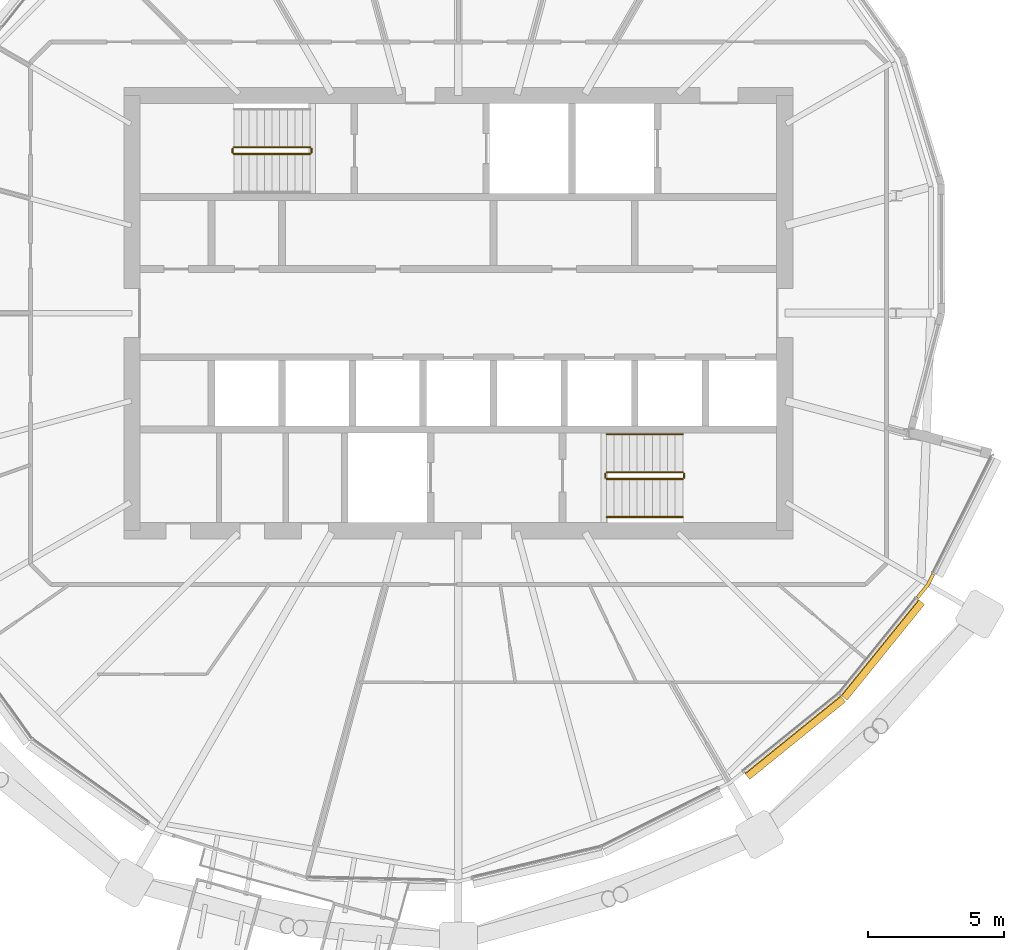
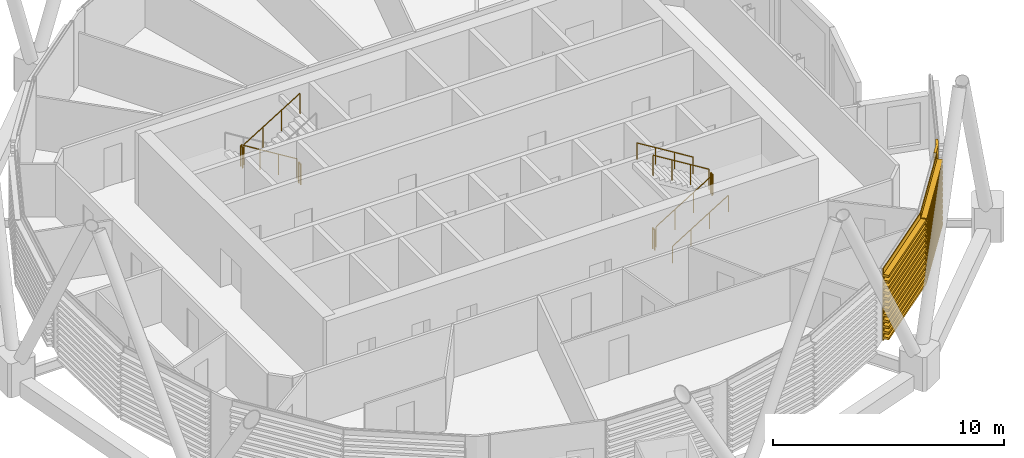
# One storey, part 36 of 37: 10 railings, 3 coverings.
"""IFC4 building model written with IfcOpenShell, lengths in metres."""

from ifc_helpers import new_model, si_unit, direction, frame, origin, origin_2d, place, context, subcontext, project, spatial, polyline, circle, outline, extrude, material, layer, layer_set, material_profile, profile_set, type_object, element, save


model = new_model("IFC4")

# Units and contexts
model_context = context("Model", 3, precision=1e-05, world=origin(), true_north=direction((0.0, 1.0)))
body_context = subcontext(model_context, "Body", "Model", "MODEL_VIEW")
ifc_project = project(units=[si_unit("LENGTHUNIT", "METRE"), si_unit("AREAUNIT", "SQUARE_METRE"), si_unit("VOLUMEUNIT", "CUBIC_METRE"), si_unit("PLANEANGLEUNIT", "RADIAN"), si_unit("MASSUNIT", "GRAM", prefix="KILO")], contexts=[model_context])

# Site, building, storey
site_placement = place(None, origin())
site = spatial("IfcSite", under=ifc_project, at=site_placement, CompositionType="ELEMENT")
building_placement = place(site_placement, origin())
building = spatial("IfcBuilding", under=site, at=building_placement, Name="Rimbun Link Towers", CompositionType="ELEMENT")
storey_placement = place(building_placement, frame((0.0, 0.0, 170.300048828125)))
storey = spatial("IfcBuildingStorey", under=building, at=storey_placement, Name="L41", CompositionType="ELEMENT", Elevation=170.300048828125)

# Covering
ifc_material_1 = material(Name="Terracotta", Category="masonry")
ifc_layer = layer(ifc_material_1, 0.1201171875)
ifc_layer_set = layer_set([ifc_layer], Name="LINK PIER terracotta cladding 120")
covering_type_1 = type_object("IfcCoveringType", Name="LINK PIER terracotta cladding 120", PredefinedType="CLADDING", material=ifc_layer_set)
covering_placement = place(storey_placement, origin())
element("IfcCovering", 1, at=covering_placement, inside=storey, type_object=covering_type_1, Name="LINK PIER cladding", PredefinedType="CLADDING", context=body_context, shape_type="SweptSolid", body=[
    extrude(outline(polyline([(49.15869140625, -9.566650390625), (48.97021484375, -9.942138671875), (48.580078125, -10.424072265625), (48.67333984375, -10.49951171875), (49.071533203125, -10.007568359375), (49.265869140625, -9.62060546875), (49.15869140625, -9.566650390625)])), origin(), (0.0, 0.0, 1.0), 3.800048828125),
])

# Railings
ifc_material_2 = material(Name="Stainless steel grade 316", Category="steel")
railing_type_1 = type_object("IfcRailingType", Name="Stair guard", PredefinedType="GUARDRAIL", material=ifc_material_2)
railing_1_placement = place(storey_placement, frame((26.300048828125, 6.10009765625, 0.172607421875)))
element("IfcRailing", 2, at=railing_1_placement, inside=storey, type_object=railing_type_1, Name="L41 ST3 stair guard 1", PredefinedType="GUARDRAIL", context=body_context, shape_type="SweptSolid", body=[
    extrude(circle(Radius=0.02392578125, at=origin_2d()), frame((0.0, 0.0, 1.076171875), z_axis=(-0.851089632645, 0.0, 0.525020415988), x_axis=(0.0, -1.0, 0.0)), (0.0, 0.0, 1.0), 3.2900390625),
    extrude(circle(Radius=0.02099609375, at=origin_2d()), origin(), (0.0, 0.0, 1.0), 1.052001953125),
    extrude(circle(Radius=0.02099609375, at=origin_2d()), frame((-0.933349609375, 0.0, 0.57568359375)), (0.0, 0.0, 1.0), 1.052001953125),
    extrude(circle(Radius=0.02099609375, at=origin_2d()), frame((-1.86669921875, 0.0, 1.151611328125)), (0.0, 0.0, 1.0), 1.052001953125),
    extrude(circle(Radius=0.02099609375, at=origin_2d()), frame((-2.800048828125, 0.0, 1.727294921875)), (0.0, 0.0, 1.0), 1.052001953125),
])
railing_2_placement = place(storey_placement, frame((23.449951171875, 6.050048828125, 1.89990234375)))
element("IfcRailing", 3, at=railing_2_placement, inside=storey, type_object=railing_type_1, Name="L41 ST3 stair guard 2", PredefinedType="GUARDRAIL", context=body_context, shape_type="SweptSolid", body=[
    extrude(circle(Radius=0.02392578125, at=origin_2d()), frame((0.0, 0.0, 1.076171875), z_axis=(0.0, -1.0, 0.0), x_axis=(1.0, 0.0, 0.0)), (0.0, 0.0, 1.0), 0.150146484375),
    extrude(circle(Radius=0.02099609375, at=origin_2d()), origin(), (0.0, 0.0, 1.0), 1.052001953125),
    extrude(circle(Radius=0.02099609375, at=origin_2d()), frame((0.0, -0.150146484375, 0.0)), (0.0, 0.0, 1.0), 1.052001953125),
])
railing_3_placement = place(storey_placement, frame((23.5, 5.85009765625, 2.07275390625)))
element("IfcRailing", 4, at=railing_3_placement, inside=storey, type_object=railing_type_1, Name="L41 ST3 stair guard 3", PredefinedType="GUARDRAIL", context=body_context, shape_type="SweptSolid", body=[
    extrude(circle(Radius=0.02392578125, at=origin_2d()), frame((0.0, 0.0, 1.076171875), z_axis=(0.851089632645, 0.0, 0.525020415988), x_axis=(0.0, 1.0, 0.0)), (0.0, 0.0, 1.0), 3.2900390625),
    extrude(circle(Radius=0.02099609375, at=origin_2d()), origin(), (0.0, 0.0, 1.0), 1.052001953125),
    extrude(circle(Radius=0.02099609375, at=origin_2d()), frame((0.933349609375, 0.0, 0.57568359375)), (0.0, 0.0, 1.0), 1.052001953125),
    extrude(circle(Radius=0.02099609375, at=origin_2d()), frame((1.86669921875, 0.0, 1.151611328125)), (0.0, 0.0, 1.0), 1.052001953125),
    extrude(circle(Radius=0.02099609375, at=origin_2d()), frame((2.800048828125, 0.0, 1.727294921875)), (0.0, 0.0, 1.0), 1.052001953125),
])
railing_4_placement = place(storey_placement, frame((26.35009765625, 6.050048828125, 0.0)))
element("IfcRailing", 5, at=railing_4_placement, inside=storey, type_object=railing_type_1, Name="L41 ST3 stair guard 4", PredefinedType="GUARDRAIL", context=body_context, shape_type="SweptSolid", body=[
    extrude(circle(Radius=0.02392578125, at=origin_2d()), frame((0.0, 0.0, 1.076171875), z_axis=(0.0, -1.0, 0.0), x_axis=(1.0, 0.0, 0.0)), (0.0, 0.0, 1.0), 0.150146484375),
    extrude(circle(Radius=0.02099609375, at=origin_2d()), origin(), (0.0, 0.0, 1.0), 1.052001953125),
    extrude(circle(Radius=0.02099609375, at=origin_2d()), frame((0.0, -0.150146484375, 0.0)), (0.0, 0.0, 1.0), 1.052001953125),
])
railing_5_placement = place(storey_placement, frame((37.199951171875, -6.10009765625, 0.172607421875)))
element("IfcRailing", 6, at=railing_5_placement, inside=storey, type_object=railing_type_1, Name="L41 ST4 stair guard 1", PredefinedType="GUARDRAIL", context=body_context, shape_type="SweptSolid", body=[
    extrude(circle(Radius=0.02392578125, at=origin_2d()), frame((0.0, 0.0, 1.076171875), z_axis=(0.851089632645, 0.0, 0.525020415988), x_axis=(0.0, 1.0, 0.0)), (0.0, 0.0, 1.0), 3.2900390625),
    extrude(circle(Radius=0.02099609375, at=origin_2d()), origin(), (0.0, 0.0, 1.0), 1.052001953125),
    extrude(circle(Radius=0.02099609375, at=origin_2d()), frame((0.933349609375, 0.0, 0.57568359375)), (0.0, 0.0, 1.0), 1.052001953125),
    extrude(circle(Radius=0.02099609375, at=origin_2d()), frame((1.86669921875, 0.0, 1.151611328125)), (0.0, 0.0, 1.0), 1.052001953125),
    extrude(circle(Radius=0.02099609375, at=origin_2d()), frame((2.800048828125, 0.0, 1.727294921875)), (0.0, 0.0, 1.0), 1.052001953125),
])
railing_6_placement = place(storey_placement, frame((40.050048828125, -6.050048828125, 1.89990234375)))
element("IfcRailing", 7, at=railing_6_placement, inside=storey, type_object=railing_type_1, Name="L41 ST4 stair guard 2", PredefinedType="GUARDRAIL", context=body_context, shape_type="SweptSolid", body=[
    extrude(circle(Radius=0.02392578125, at=origin_2d()), frame((0.0, 0.0, 1.076171875), z_axis=(0.0, 1.0, 0.0), x_axis=(-1.0, 0.0, 0.0)), (0.0, 0.0, 1.0), 0.150146484375),
    extrude(circle(Radius=0.02099609375, at=origin_2d()), origin(), (0.0, 0.0, 1.0), 1.052001953125),
    extrude(circle(Radius=0.02099609375, at=origin_2d()), frame((0.0, 0.150146484375, 0.0)), (0.0, 0.0, 1.0), 1.052001953125),
])
railing_7_placement = place(storey_placement, frame((40.0, -5.85009765625, 2.07275390625)))
element("IfcRailing", 8, at=railing_7_placement, inside=storey, type_object=railing_type_1, Name="L41 ST4 stair guard 3", PredefinedType="GUARDRAIL", context=body_context, shape_type="SweptSolid", body=[
    extrude(circle(Radius=0.02392578125, at=origin_2d()), frame((0.0, 0.0, 1.076171875), z_axis=(-0.851089632645, 0.0, 0.525020415988), x_axis=(0.0, -1.0, 0.0)), (0.0, 0.0, 1.0), 3.2900390625),
    extrude(circle(Radius=0.02099609375, at=origin_2d()), origin(), (0.0, 0.0, 1.0), 1.052001953125),
    extrude(circle(Radius=0.02099609375, at=origin_2d()), frame((-0.933349609375, 0.0, 0.57568359375)), (0.0, 0.0, 1.0), 1.052001953125),
    extrude(circle(Radius=0.02099609375, at=origin_2d()), frame((-1.86669921875, 0.0, 1.151611328125)), (0.0, 0.0, 1.0), 1.052001953125),
    extrude(circle(Radius=0.02099609375, at=origin_2d()), frame((-2.800048828125, 0.0, 1.727294921875)), (0.0, 0.0, 1.0), 1.052001953125),
])
railing_8_placement = place(storey_placement, frame((37.14990234375, -6.050048828125, 0.0)))
element("IfcRailing", 9, at=railing_8_placement, inside=storey, type_object=railing_type_1, Name="L41 ST4 stair guard 4", PredefinedType="GUARDRAIL", context=body_context, shape_type="SweptSolid", body=[
    extrude(circle(Radius=0.02392578125, at=origin_2d()), frame((0.0, 0.0, 1.076171875), z_axis=(0.0, 1.0, 0.0), x_axis=(-1.0, 0.0, 0.0)), (0.0, 0.0, 1.0), 0.150146484375),
    extrude(circle(Radius=0.02099609375, at=origin_2d()), origin(), (0.0, 0.0, 1.0), 1.052001953125),
    extrude(circle(Radius=0.02099609375, at=origin_2d()), frame((0.0, 0.150146484375, 0.0)), (0.0, 0.0, 1.0), 1.052001953125),
])
ifc_material_3 = material(Name="Stainless steel grade 316", Category="steel")
railing_type_2 = type_object("IfcRailingType", Name="Stair handrail", PredefinedType="HANDRAIL", material=ifc_material_3)
railing_9_placement = place(storey_placement, frame((37.199951171875, -7.5, 0.172607421875)))
element("IfcRailing", 10, at=railing_9_placement, inside=storey, type_object=railing_type_2, Name="L41 ST4 stair handrail 1", PredefinedType="HANDRAIL", context=body_context, shape_type="SweptSolid", body=[
    extrude(circle(Radius=0.02392578125, at=origin_2d()), frame((0.0, 0.0, 0.8759765625), z_axis=(0.851089632645, 0.0, 0.525020415988), x_axis=(0.0, 1.0, 0.0)), (0.0, 0.0, 1.0), 3.2900390625),
    extrude(circle(Radius=0.02099609375, at=origin_2d()), origin(), (0.0, 0.0, 1.0), 0.851806640625),
    extrude(circle(Radius=0.02099609375, at=origin_2d()), frame((0.933349609375, 0.0, 0.57568359375)), (0.0, 0.0, 1.0), 0.851806640625),
    extrude(circle(Radius=0.02099609375, at=origin_2d()), frame((1.86669921875, 0.0, 1.151611328125)), (0.0, 0.0, 1.0), 0.851806640625),
    extrude(circle(Radius=0.02099609375, at=origin_2d()), frame((2.800048828125, 0.0, 1.727294921875)), (0.0, 0.0, 1.0), 0.851806640625),
])
railing_10_placement = place(storey_placement, frame((40.0, -4.449951171875, 2.07275390625)))
element("IfcRailing", 11, at=railing_10_placement, inside=storey, type_object=railing_type_2, Name="L41 ST4 stair handrail 2", PredefinedType="HANDRAIL", context=body_context, shape_type="SweptSolid", body=[
    extrude(circle(Radius=0.02392578125, at=origin_2d()), frame((0.0, 0.0, 0.8759765625), z_axis=(-0.851089632645, 0.0, 0.525020415988), x_axis=(0.0, -1.0, 0.0)), (0.0, 0.0, 1.0), 3.2900390625),
    extrude(circle(Radius=0.02099609375, at=origin_2d()), origin(), (0.0, 0.0, 1.0), 0.851806640625),
    extrude(circle(Radius=0.02099609375, at=origin_2d()), frame((-0.933349609375, 0.0, 0.57568359375)), (0.0, 0.0, 1.0), 0.851806640625),
    extrude(circle(Radius=0.02099609375, at=origin_2d()), frame((-1.86669921875, 0.0, 1.151611328125)), (0.0, 0.0, 1.0), 0.851806640625),
    extrude(circle(Radius=0.02099609375, at=origin_2d()), frame((-2.800048828125, 0.0, 1.727294921875)), (0.0, 0.0, 1.0), 0.851806640625),
])

# Coverings
ifc_material_4 = material(Name="Terracotta", Category="masonry")
ifc_material_profile = material_profile(ifc_material_4, outline(polyline([(0.123046875, 0.0), (0.1630859375, 0.0), (0.1630859375, 0.10009765625), (0.423095703125, 0.10009765625), (0.423095703125, 0.219970703125), (0.1630859375, 0.219970703125), (0.1630859375, 0.39990234375), (0.423095703125, 0.39990234375), (0.423095703125, 0.52001953125), (0.1630859375, 0.52001953125), (0.1630859375, 0.699951171875), (0.423095703125, 0.699951171875), (0.423095703125, 0.820068359375), (0.1630859375, 0.820068359375), (0.1630859375, 1.0), (0.423095703125, 1.0), (0.423095703125, 1.1201171875), (0.1630859375, 1.1201171875), (0.1630859375, 1.300048828125), (0.423095703125, 1.300048828125), (0.423095703125, 1.419921875), (0.1630859375, 1.419921875), (0.1630859375, 1.60009765625), (0.423095703125, 1.60009765625), (0.423095703125, 1.719970703125), (0.1630859375, 1.719970703125), (0.1630859375, 1.89990234375), (0.423095703125, 1.89990234375), (0.423095703125, 2.02001953125), (0.1630859375, 2.02001953125), (0.1630859375, 2.199951171875), (0.423095703125, 2.199951171875), (0.423095703125, 2.320068359375), (0.1630859375, 2.320068359375), (0.1630859375, 2.5), (0.423095703125, 2.5), (0.423095703125, 2.6201171875), (0.1630859375, 2.6201171875), (0.1630859375, 2.800048828125), (0.423095703125, 2.800048828125), (0.423095703125, 2.919921875), (0.1630859375, 2.919921875), (0.1630859375, 3.10009765625), (0.423095703125, 3.10009765625), (0.423095703125, 3.219970703125), (0.1630859375, 3.219970703125), (0.1630859375, 3.39990234375), (0.423095703125, 3.39990234375), (0.423095703125, 3.52001953125), (0.1630859375, 3.52001953125), (0.1630859375, 3.800048828125), (0.123046875, 3.800048828125), (0.123046875, 0.0)])), Name="BAGUETTE 120X300")
ifc_profile_set = profile_set([ifc_material_profile], Name="Terracotta")
covering_type_2 = type_object("IfcCoveringType", Name="TERRACOTTA BAGUETTE 120X300 H3800", PredefinedType="CLADDING", material=ifc_profile_set)
for number, where, z_axis, x_axis, name in (
    (12, (45.71435546875, -13.96435546875, 0.0), (-0.777271256084, -0.629165633569, 0.0), (0.629165633569, -0.777271256084, 0.0), "TERRACOTTA BAGUETTE"),
    (13, (48.561279296875, -10.447265625, 0.0), (-0.629165633569, -0.777271256084, 0.0), (0.777271256084, -0.629165633569, 0.0), "TERRACOTTA BAGUETTE"),
):
    element("IfcCovering", number, at=place(storey_placement, frame(where, z_axis=z_axis, x_axis=x_axis)), inside=storey, type_object=covering_type_2, Name=name, PredefinedType="CLADDING", context=body_context, shape_type="SweptSolid", body=[
        extrude(outline(polyline([(0.123046875, 0.0), (0.1630859375, 0.0), (0.1630859375, 0.10009765625), (0.423095703125, 0.10009765625), (0.423095703125, 0.219970703125), (0.1630859375, 0.219970703125), (0.1630859375, 0.39990234375), (0.423095703125, 0.39990234375), (0.423095703125, 0.52001953125), (0.1630859375, 0.52001953125), (0.1630859375, 0.699951171875), (0.423095703125, 0.699951171875), (0.423095703125, 0.820068359375), (0.1630859375, 0.820068359375), (0.1630859375, 1.0), (0.423095703125, 1.0), (0.423095703125, 1.1201171875), (0.1630859375, 1.1201171875), (0.1630859375, 1.300048828125), (0.423095703125, 1.300048828125), (0.423095703125, 1.419921875), (0.1630859375, 1.419921875), (0.1630859375, 1.60009765625), (0.423095703125, 1.60009765625), (0.423095703125, 1.719970703125), (0.1630859375, 1.719970703125), (0.1630859375, 1.89990234375), (0.423095703125, 1.89990234375), (0.423095703125, 2.02001953125), (0.1630859375, 2.02001953125), (0.1630859375, 2.199951171875), (0.423095703125, 2.199951171875), (0.423095703125, 2.320068359375), (0.1630859375, 2.320068359375), (0.1630859375, 2.5), (0.423095703125, 2.5), (0.423095703125, 2.6201171875), (0.1630859375, 2.6201171875), (0.1630859375, 2.800048828125), (0.423095703125, 2.800048828125), (0.423095703125, 2.919921875), (0.1630859375, 2.919921875), (0.1630859375, 3.10009765625), (0.423095703125, 3.10009765625), (0.423095703125, 3.219970703125), (0.1630859375, 3.219970703125), (0.1630859375, 3.39990234375), (0.423095703125, 3.39990234375), (0.423095703125, 3.52001953125), (0.1630859375, 3.52001953125), (0.1630859375, 3.800048828125), (0.123046875, 3.800048828125), (0.123046875, 0.0)])), origin(), (0.0, 0.0, 1.0), 4.52490234375),
    ])

save(model, "model.ifc")
